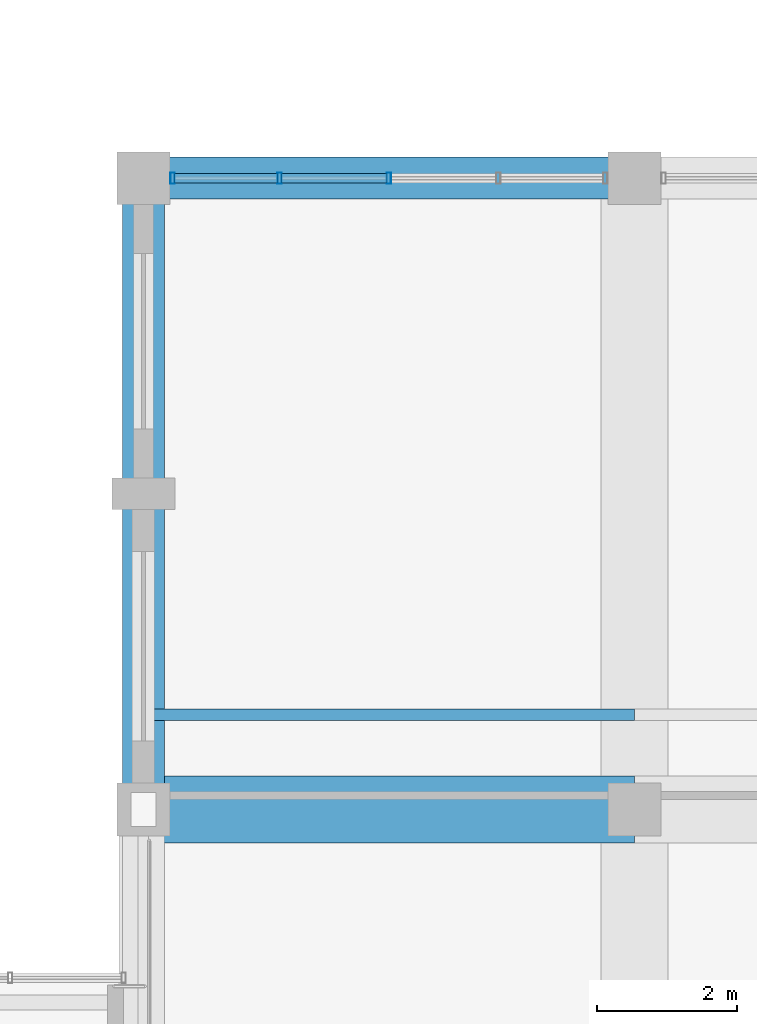
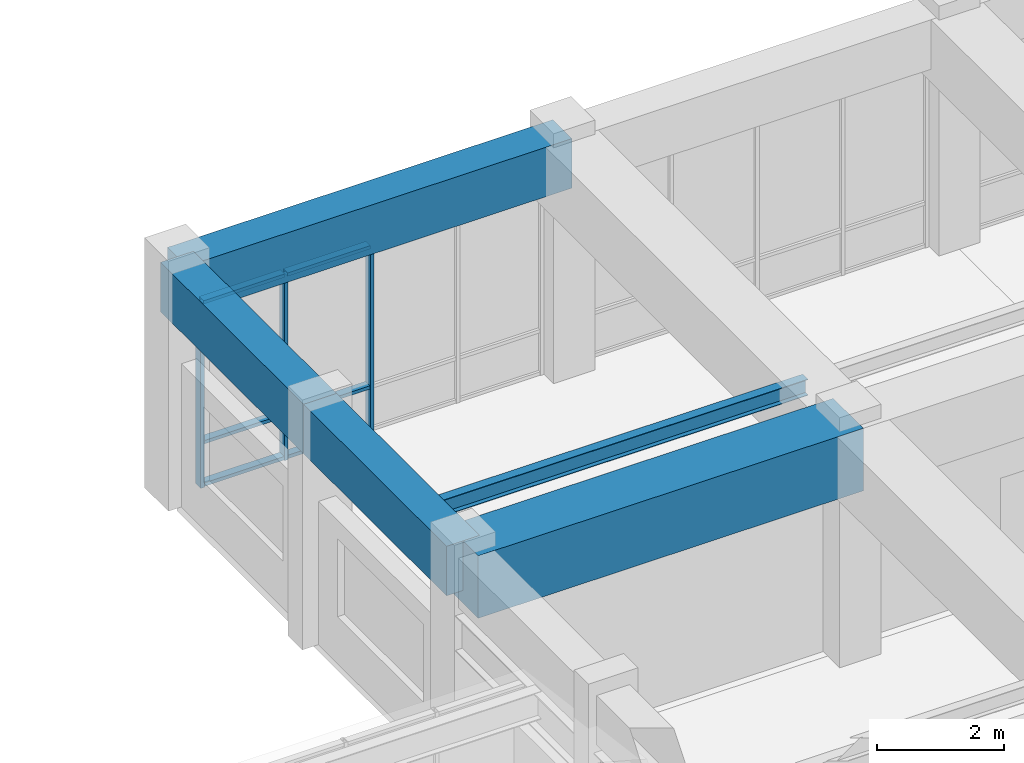
# One storey, part 51 of 99: 10 members, 4 beams, 1 element without a shape of its own.
"""IFC4 building model written with IfcOpenShell, lengths in metres."""

from ifc_helpers import new_model, si_unit, direction, frame, origin, origin_2d, place, context, subcontext, project, spatial, rectangle, hollow_rectangle, i_section, extrude, material, layer, layer_set, material_profile, profile_set, type_object, element, aggregate, save


model = new_model("IFC4")

# Units and contexts
model_context = context("Model", 3, precision=1e-05, world=origin(), true_north=direction((0.0, 1.0)))
body_context = subcontext(model_context, "Body", "Model", "MODEL_VIEW")
ifc_project = project(units=[si_unit("LENGTHUNIT", "METRE"), si_unit("AREAUNIT", "SQUARE_METRE"), si_unit("VOLUMEUNIT", "CUBIC_METRE"), si_unit("PLANEANGLEUNIT", "RADIAN"), si_unit("MASSUNIT", "GRAM", prefix="KILO")], contexts=[model_context])

# Site, building, storey
site_placement = place(None, origin())
site = spatial("IfcSite", under=ifc_project, at=site_placement, CompositionType="ELEMENT")
building_placement = place(site_placement, origin())
building = spatial("IfcBuilding", under=site, at=building_placement, Name="Ventoquebrada Cableway Terminal", CompositionType="ELEMENT")
storey_placement = place(building_placement, frame((0.0, 0.0, 9.60009765625)))
storey = spatial("IfcBuildingStorey", under=building, at=storey_placement, Name="L02", CompositionType="ELEMENT", Elevation=9.60009765625)

# Beams
ifc_material_1 = material(Name="Concrete C40/50", Category="concrete")
ifc_material_profile_1 = material_profile(ifc_material_1, rectangle(XDim=0.60009765625, YDim=0.949951171875, at=origin_2d()), Name="RC-BM-600X950")
ifc_profile_set_1 = profile_set([ifc_material_profile_1], Name="Concrete C40/50")
beam_type_1 = type_object("IfcBeamType", Name="BM-RC05", PredefinedType="BEAM", material=ifc_profile_set_1)
beam_1_placement = place(storey_placement, frame((95.0, 104.0, 4.054931640625), z_axis=(1.0, 0.0, 0.0), x_axis=(0.0, 1.0, 0.0)))
element("IfcBeam", 1, at=beam_1_placement, inside=storey, type_object=beam_type_1, Name="Perimeter spandrel beam FBM-0676", PredefinedType="BEAM", context=body_context, shape_type="SweptSolid", body=[
    extrude(rectangle(XDim=0.60009765625, YDim=0.949951171875, at=origin_2d()), origin(), (0.0, 0.0, 1.0), 7.0),
])
for number, where, z_axis, x_axis, name in (
    (2, (95.0, 95.0, 4.054931640625), (0.0, 1.0, 0.0), (-1.0, 0.0, 0.0), "Perimeter spandrel beam FBM-0684"),
    (3, (95.0, 99.5, 4.054931640625), (0.0, 1.0, 0.0), (-1.0, 0.0, 0.0), "Perimeter spandrel beam FBM-0685"),
):
    element("IfcBeam", number, at=place(storey_placement, frame(where, z_axis=z_axis, x_axis=x_axis)), inside=storey, type_object=beam_type_1, Name=name, PredefinedType="BEAM", context=body_context, shape_type="SweptSolid", body=[
        extrude(rectangle(XDim=0.60009765625, YDim=0.949951171875, at=origin_2d()), origin(), (0.0, 0.0, 1.0), 4.5),
    ])
ifc_material_profile_2 = material_profile(ifc_material_1, rectangle(XDim=0.949951171875, YDim=1.199951171875, at=origin_2d()), Name="RC-BM-950X1200")
ifc_profile_set_2 = profile_set([ifc_material_profile_2], Name="Concrete C40/50")
beam_type_2 = type_object("IfcBeamType", Name="BM-RC06", PredefinedType="BEAM", material=ifc_profile_set_2)
beam_2_placement = place(storey_placement, frame((95.0, 95.0, 3.929931640625), z_axis=(1.0, 0.0, 0.0), x_axis=(0.0, 1.0, 0.0)))
element("IfcBeam", 4, at=beam_2_placement, inside=storey, type_object=beam_type_2, Name="Primary frame girder FBM-0672", PredefinedType="BEAM", context=body_context, shape_type="SweptSolid", body=[
    extrude(rectangle(XDim=0.949951171875, YDim=1.199951171875, at=origin_2d()), origin(), (0.0, 0.0, 1.0), 7.0),
])

# Curtain wall, members
ifc_material_2 = material(Name="Anodized thermally-broken aluminium", Category="aluminium")
ifc_layer = layer(ifc_material_2, 0.159912109375)
ifc_layer_set = layer_set([ifc_layer], Name="Anodized thermally-broken aluminium")
curtain_wall_type = type_object("IfcCurtainWallType", Name="CW-T29", PredefinedType="USERDEFINED", material=ifc_layer_set)
curtain_wall_placement = place(storey_placement, origin())
curtain_wall = element("IfcCurtainWall", 5, at=curtain_wall_placement, inside=storey, type_object=curtain_wall_type, Name="Unitised glazed curtain wall CW-069", ObjectType="UNITISED CURTAIN WALL", PredefinedType="USERDEFINED")
ifc_material_profile_3 = material_profile(ifc_material_2, hollow_rectangle(XDim=0.06494140625, YDim=0.159912109375, WallThickness=0.00390625, at=origin_2d()), Name="CW-MUL-65X160")
ifc_profile_set_3 = profile_set([ifc_material_profile_3], Name="Anodized thermally-broken aluminium")
member_type_1 = type_object("IfcMemberType", Name="CWM-01", PredefinedType="MULLION", material=ifc_profile_set_3)
member_1_placement = place(storey_placement, frame((98.5, 104.0, -0.008056640625), z_axis=(0.0, 0.0, 1.0), x_axis=(-1.0, 0.0, 0.0)))
member_1 = element("IfcMember", 6, at=member_1_placement, type_object=member_type_1, Name="Curtain wall mullion FML-0322", PredefinedType="MULLION", context=body_context, shape_type="SweptSolid", body=[
    extrude(hollow_rectangle(XDim=0.06494140625, YDim=0.159912109375, WallThickness=0.00390625, at=origin_2d()), origin(), (0.0, 0.0, 1.0), 3.587890625),
])
member_2_placement = place(storey_placement, frame((96.93994140625, 104.0, -0.008056640625), z_axis=(0.0, 0.0, 1.0), x_axis=(-1.0, 0.0, 0.0)))
member_2 = element("IfcMember", 7, at=member_2_placement, type_object=member_type_1, Name="Curtain wall mullion FML-0323", PredefinedType="MULLION", context=body_context, shape_type="SweptSolid", body=[
    extrude(hollow_rectangle(XDim=0.06494140625, YDim=0.159912109375, WallThickness=0.00390625, at=origin_2d()), origin(), (0.0, 0.0, 1.0), 3.587890625),
])
member_3_placement = place(storey_placement, frame((95.4150390625, 104.0, -0.008056640625), z_axis=(0.0, 0.0, 1.0), x_axis=(-1.0, 0.0, 0.0)))
member_3 = element("IfcMember", 8, at=member_3_placement, type_object=member_type_1, Name="Curtain wall mullion FML-0324", PredefinedType="MULLION", context=body_context, shape_type="SweptSolid", body=[
    extrude(hollow_rectangle(XDim=0.06494140625, YDim=0.159912109375, WallThickness=0.00390625, at=origin_2d()), origin(), (0.0, 0.0, 1.0), 3.587890625),
])
ifc_material_profile_4 = material_profile(ifc_material_2, hollow_rectangle(XDim=0.06494140625, YDim=0.139892578125, WallThickness=0.00390625, at=origin_2d()), Name="CW-TRN-65X140")
ifc_profile_set_4 = profile_set([ifc_material_profile_4], Name="Anodized thermally-broken aluminium")
member_type_2 = type_object("IfcMemberType", Name="CWT-01", PredefinedType="USERDEFINED", material=ifc_profile_set_4)
member_4_placement = place(storey_placement, frame((98.471923828125, 104.0, 0.034912109375), z_axis=(-1.0, 0.0, 0.0), x_axis=(0.0, 0.0, 1.0)))
member_4 = element("IfcMember", 9, at=member_4_placement, type_object=member_type_2, Name="Curtain wall transom FTR-0934", ObjectType="TRANSOM", PredefinedType="USERDEFINED", context=body_context, shape_type="SweptSolid", body=[
    extrude(hollow_rectangle(XDim=0.06494140625, YDim=0.139892578125, WallThickness=0.00390625, at=origin_2d()), origin(), (0.0, 0.0, 1.0), 1.50390625),
])
member_5_placement = place(storey_placement, frame((98.471923828125, 104.0, 0.849853515625), z_axis=(-1.0, 0.0, 0.0), x_axis=(0.0, 0.0, 1.0)))
member_5 = element("IfcMember", 10, at=member_5_placement, type_object=member_type_2, Name="Curtain wall transom FTR-0935", ObjectType="TRANSOM", PredefinedType="USERDEFINED", context=body_context, shape_type="SweptSolid", body=[
    extrude(hollow_rectangle(XDim=0.06494140625, YDim=0.139892578125, WallThickness=0.00390625, at=origin_2d()), origin(), (0.0, 0.0, 1.0), 1.50390625),
])
member_6_placement = place(storey_placement, frame((98.471923828125, 104.0, 3.539794921875), z_axis=(-1.0, 0.0, 0.0), x_axis=(0.0, 0.0, 1.0)))
member_6 = element("IfcMember", 11, at=member_6_placement, type_object=member_type_2, Name="Curtain wall transom FTR-0936", ObjectType="TRANSOM", PredefinedType="USERDEFINED", context=body_context, shape_type="SweptSolid", body=[
    extrude(hollow_rectangle(XDim=0.06494140625, YDim=0.139892578125, WallThickness=0.00390625, at=origin_2d()), origin(), (0.0, 0.0, 1.0), 1.50390625),
])
member_7_placement = place(storey_placement, frame((96.912109375, 104.0, 0.034912109375), z_axis=(-1.0, 0.0, 0.0), x_axis=(0.0, 0.0, 1.0)))
member_7 = element("IfcMember", 12, at=member_7_placement, type_object=member_type_2, Name="Curtain wall transom FTR-0937", ObjectType="TRANSOM", PredefinedType="USERDEFINED", context=body_context, shape_type="SweptSolid", body=[
    extrude(hollow_rectangle(XDim=0.06494140625, YDim=0.139892578125, WallThickness=0.00390625, at=origin_2d()), origin(), (0.0, 0.0, 1.0), 1.47021484375),
])
member_8_placement = place(storey_placement, frame((96.912109375, 104.0, 0.849853515625), z_axis=(-1.0, 0.0, 0.0), x_axis=(0.0, 0.0, 1.0)))
member_8 = element("IfcMember", 13, at=member_8_placement, type_object=member_type_2, Name="Curtain wall transom FTR-0938", ObjectType="TRANSOM", PredefinedType="USERDEFINED", context=body_context, shape_type="SweptSolid", body=[
    extrude(hollow_rectangle(XDim=0.06494140625, YDim=0.139892578125, WallThickness=0.00390625, at=origin_2d()), origin(), (0.0, 0.0, 1.0), 1.47021484375),
])
member_9_placement = place(storey_placement, frame((96.912109375, 104.0, 3.539794921875), z_axis=(-1.0, 0.0, 0.0), x_axis=(0.0, 0.0, 1.0)))
member_9 = element("IfcMember", 14, at=member_9_placement, type_object=member_type_2, Name="Curtain wall transom FTR-0939", ObjectType="TRANSOM", PredefinedType="USERDEFINED", context=body_context, shape_type="SweptSolid", body=[
    extrude(hollow_rectangle(XDim=0.06494140625, YDim=0.139892578125, WallThickness=0.00390625, at=origin_2d()), origin(), (0.0, 0.0, 1.0), 1.47021484375),
])
aggregate(curtain_wall, [member_1, member_2, member_3, member_4, member_5, member_6, member_7, member_8, member_9])

# Member
ifc_material_3 = material(Name="Steel ASTM A992 Grade 50", Category="steel")
ifc_material_profile_5 = material_profile(ifc_material_3, i_section(OverallWidth=0.1650390625, OverallDepth=0.31005859375, WebThickness=0.005859375, FlangeThickness=0.009765625, at=origin_2d()), Name="W12X26")
ifc_profile_set_5 = profile_set([ifc_material_profile_5], Name="Steel ASTM A992 Grade 50")
member_type_3 = type_object("IfcMemberType", Name="PUR-RF05", PredefinedType="PURLIN", material=ifc_profile_set_5)
member_10_placement = place(storey_placement, frame((95.0, 96.35009765625, 4.260009765625), z_axis=(1.0, 0.0, 0.0), x_axis=(0.0, 1.0, 0.0)))
element("IfcMember", 15, at=member_10_placement, inside=storey, type_object=member_type_3, Name="Roof support purlin RPR-0497", PredefinedType="PURLIN", context=body_context, shape_type="SweptSolid", body=[
    extrude(i_section(OverallWidth=0.1650390625, OverallDepth=0.31005859375, WebThickness=0.005859375, FlangeThickness=0.009765625, at=origin_2d()), origin(), (0.0, 0.0, 1.0), 7.0),
])

save(model, "model.ifc")
